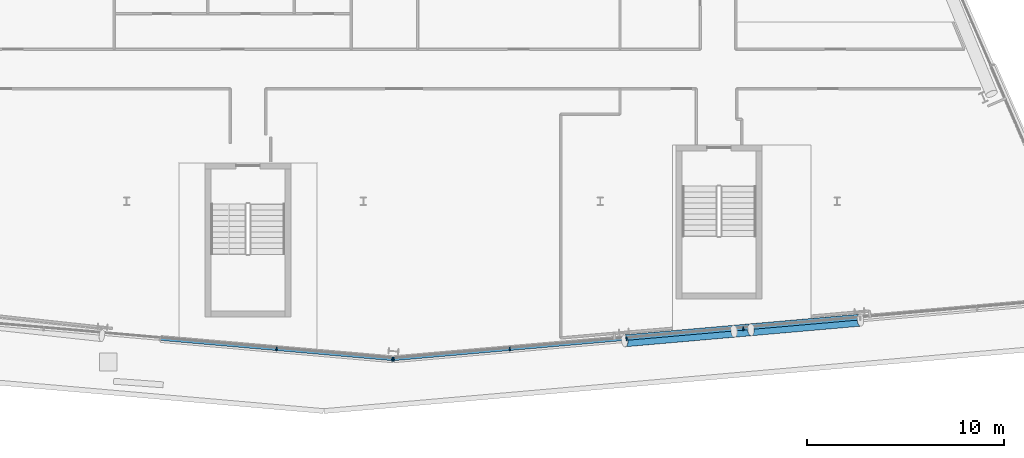
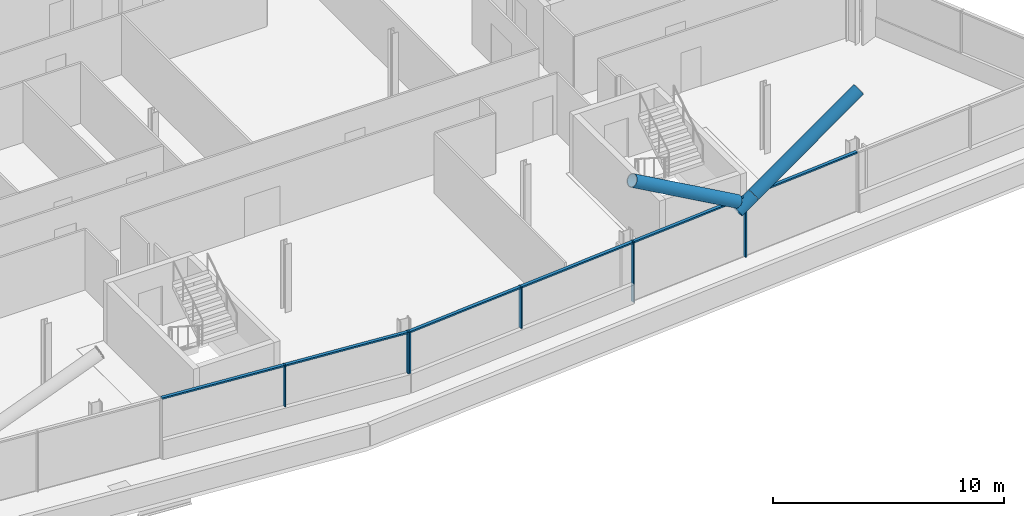
# One storey, part 6 of 27: 15 members, 2 elements without a shape of their own.
"""IFC4 building model written with IfcOpenShell, lengths in metres."""

import ifcopenshell
import ifcopenshell.guid

model = None  # the IFC model being written
_history = None  # IfcOwnerHistory: only IFC2X3 demands one
_inside = {}  # id of a spatial element -> (the spatial element, [elements in it])
_under = {}  # id of a project, library or spatial element -> (it, [spatial elements below it])
_declared = {}  # id of a project -> (the project, [libraries it declares])
_typed = {}  # id of a type object -> (the type object, [elements of that type])
_made_of = {}  # id of a material, layer set ... -> (it, [elements and type objects made of it])


def new_model(schema):
    """Start an empty IFC model of exactly this schema.

    Asked for "IFC4X3", IfcOpenShell would pick the latest addendum, in which some entities
    have other attributes; the version numbers below select the first issue.
    IFC2X3 requires an IfcOwnerHistory on every rooted entity: one is made here for all.
    """
    global model, _history
    if schema == "IFC4X3":
        model = ifcopenshell.file(schema_version=(4, 3, 0, 0))
    else:
        model = ifcopenshell.file(schema=schema)
    _inside.clear()
    _under.clear()
    _declared.clear()
    _typed.clear()
    _made_of.clear()
    _history = None
    if model.schema == "IFC2X3":
        org = make("IfcOrganization", Name="unknown")
        user = make(
            "IfcPersonAndOrganization",
            ThePerson=make("IfcPerson", FamilyName="unknown"),
            TheOrganization=org,
        )
        app = make(
            "IfcApplication",
            ApplicationDeveloper=org,
            Version="unknown",
            ApplicationFullName="unknown",
            ApplicationIdentifier="unknown",
        )
        _history = make(
            "IfcOwnerHistory",
            OwningUser=user,
            OwningApplication=app,
            ChangeAction="ADDED",
            CreationDate=0,
        )
    return model


def make(cls, **values):
    """One entity of the class cls with the attributes given. An attribute that is None is left unset."""
    return model.create_entity(
        cls, **{name: value for name, value in values.items() if value is not None}
    )


def rooted(cls, **values):
    """An entity with a GlobalId (a new one), such as an element, a storey or a relation."""
    return make(cls, GlobalId=ifcopenshell.guid.new(), OwnerHistory=_history, **values)


def si_unit(unit_type, name, prefix=None):
    """IfcSIUnit, for example si_unit("LENGTHUNIT", "METRE", prefix="MILLI")."""
    return make("IfcSIUnit", UnitType=unit_type, Prefix=prefix, Name=name)


def assignment(units):
    """IfcUnitAssignment: the units of a project."""
    return None if units is None else make("IfcUnitAssignment", Units=units)


def point(xyz):
    """IfcCartesianPoint."""
    return None if xyz is None else make("IfcCartesianPoint", Coordinates=xyz)


def direction(xyz):
    """IfcDirection."""
    return None if xyz is None else make("IfcDirection", DirectionRatios=xyz)


def frame(location, z_axis=None, x_axis=None):
    """IfcAxis2Placement3D, a coordinate frame: its origin and axes. An axis left out is left unset."""
    return make(
        "IfcAxis2Placement3D",
        Location=point(location),
        Axis=direction(z_axis),
        RefDirection=direction(x_axis),
    )


def frame_2d(location, x_axis=None):
    """IfcAxis2Placement2D, a coordinate frame in the plane: its origin and x axis."""
    return make(
        "IfcAxis2Placement2D", Location=point(location), RefDirection=direction(x_axis)
    )


def origin():
    """The frame at (0, 0, 0) with its axes left unset."""
    return frame((0.0, 0.0, 0.0))


def origin_2d():
    """The frame at (0, 0) in the plane with its x axis left unset."""
    return frame_2d((0.0, 0.0))


def place(relative_to, where):
    """IfcLocalPlacement: puts the frame where relative to a parent placement (None: the world)."""
    return make(
        "IfcLocalPlacement", PlacementRelTo=relative_to, RelativePlacement=where
    )


def context(
    kind, dimensions, precision=None, world=None, true_north=None, identifier=None
):
    """IfcGeometricRepresentationContext, for example the 3D "Model" context."""
    return make(
        "IfcGeometricRepresentationContext",
        ContextIdentifier=identifier,
        ContextType=kind,
        CoordinateSpaceDimension=dimensions,
        Precision=precision,
        WorldCoordinateSystem=world,
        TrueNorth=true_north,
    )


def subcontext(parent, identifier, kind, view, scale=None):
    """IfcGeometricRepresentationSubContext, for example "Body" below "Model"."""
    return make(
        "IfcGeometricRepresentationSubContext",
        ContextIdentifier=identifier,
        ContextType=kind,
        ParentContext=parent,
        TargetScale=scale,
        TargetView=view,
    )


def project(units=None, contexts=None):
    """IfcProject with its units and contexts."""
    return rooted(
        "IfcProject",
        Name="project",
        RepresentationContexts=contexts,
        UnitsInContext=assignment(units),
    )


def spatial(cls, under=None, at=None, **own):
    """A site, building, storey or space (cls), placed at a placement, below another one or the project."""
    s = rooted(cls, ObjectPlacement=at, **own)
    if under is not None:
        _under.setdefault(under.id(), (under, []))[1].append(s)
    return s


def profile(cls, at=None, kind="AREA", **sizes):
    """A parametric profile (cls). Its sizes go by their IFC names, for example OverallWidth=200.0."""
    return make(cls, ProfileType=kind, Position=at, **sizes)


def rectangle(**sizes):
    """IfcRectangleProfileDef."""
    return profile("IfcRectangleProfileDef", **sizes)


def hollow_circle(**sizes):
    """IfcCircleHollowProfileDef."""
    return profile("IfcCircleHollowProfileDef", **sizes)


def extrude(swept, where, along, depth):
    """IfcExtrudedAreaSolid: the profile swept, set in the frame where, extruded along a direction by depth."""
    return make(
        "IfcExtrudedAreaSolid",
        SweptArea=swept,
        Position=where,
        ExtrudedDirection=direction(along),
        Depth=depth,
    )


def shape(context_of_items, identifier, shape_type, items):
    """IfcShapeRepresentation: the items that make up one representation, for example the "Body"."""
    return make(
        "IfcShapeRepresentation",
        ContextOfItems=context_of_items,
        RepresentationIdentifier=identifier,
        RepresentationType=shape_type,
        Items=items,
    )


def material(Name=None, Category=None):
    """IfcMaterial."""
    return make("IfcMaterial", Name=Name, Category=Category)


def material_profile(
    of_material, cross_section, Name=None, Category=None, Priority=None
):
    """IfcMaterialProfile: a cross section and its material."""
    return make(
        "IfcMaterialProfile",
        Name=Name,
        Material=of_material,
        Profile=cross_section,
        Priority=Priority,
        Category=Category,
    )


def profile_set(profiles, Name=None, composite=None):
    """IfcMaterialProfileSet."""
    return make(
        "IfcMaterialProfileSet",
        Name=Name,
        MaterialProfiles=profiles,
        CompositeProfile=composite,
    )


def made_of(thing, what):
    """Note that an element or type object is made of a material, layer set ...; save() writes the relation."""
    if what is not None:
        _made_of.setdefault(what.id(), (what, []))[1].append(thing)
    return thing


def type_object(cls, material=None, **own):
    """A type object (cls), such as IfcWallType, which elements share."""
    return made_of(rooted(cls, **own), material)


def element(
    cls,
    number,
    at=None,
    inside=None,
    cuts=None,
    type_object=None,
    material=None,
    context=None,
    identifier="Body",
    shape_type=None,
    held_by="IfcProductDefinitionShape",
    body=None,
    shapes=None,
    **own,
):
    """One element of the class cls, such as IfcWall. Its Tag is "e" and its number.

    at: its placement. inside: the storey or other place that contains it. cuts: it is an
    opening in that element (IfcRelVoidsElement). A single representation is given by context,
    identifier, shape_type and body (its items); several are given by shapes. held_by: the class
    of the entity that holds the representations. save() writes the other relations.
    """
    e = rooted(cls, Tag="e%d" % number, ObjectPlacement=at, **own)
    if body is not None:
        shapes = [shape(context, identifier, shape_type, body)]
    if shapes is not None:
        e.Representation = make(held_by, Representations=shapes)
    if inside is not None:
        _inside.setdefault(inside.id(), (inside, []))[1].append(e)
    if cuts is not None:
        rooted(
            "IfcRelVoidsElement", RelatingBuildingElement=cuts, RelatedOpeningElement=e
        )
    if type_object is not None:
        _typed.setdefault(type_object.id(), (type_object, []))[1].append(e)
    return made_of(e, material)


def aggregate(whole, parts):
    """IfcRelAggregates: a whole, such as a stair, and the parts it consists of."""
    return rooted("IfcRelAggregates", RelatingObject=whole, RelatedObjects=parts)


def save(model, path):
    """Write the relations noted so far, then the file.

    IfcRelAggregates (storeys below a building ...), IfcRelContainedInSpatialStructure (elements
    in a storey), IfcRelDefinesByType, IfcRelAssociatesMaterial and IfcRelDeclares: one each for
    every whole, place, type object, material and project.
    """
    for whole, parts in _under.values():
        aggregate(whole, parts)
    for where, things in _inside.values():
        rooted(
            "IfcRelContainedInSpatialStructure",
            RelatedElements=things,
            RelatingStructure=where,
        )
    for kind, things in _typed.values():
        rooted("IfcRelDefinesByType", RelatedObjects=things, RelatingType=kind)
    for what, things in _made_of.values():
        rooted("IfcRelAssociatesMaterial", RelatedObjects=things, RelatingMaterial=what)
    for by, libraries in _declared.values():
        rooted("IfcRelDeclares", RelatingContext=by, RelatedDefinitions=libraries)
    model.write(path)


model = new_model("IFC4")

# Units and contexts
model_context = context("Model", 3, precision=1e-05, world=origin(), true_north=direction((0.0, 1.0)))
body_context = subcontext(model_context, "Body", "Model", "MODEL_VIEW")
ifc_project = project(units=[si_unit("LENGTHUNIT", "METRE"), si_unit("AREAUNIT", "SQUARE_METRE"), si_unit("VOLUMEUNIT", "CUBIC_METRE"), si_unit("PLANEANGLEUNIT", "RADIAN"), si_unit("MASSUNIT", "GRAM", prefix="KILO")], contexts=[model_context])

# Site, building, storey
site_placement = place(None, origin())
site = spatial("IfcSite", under=ifc_project, at=site_placement, CompositionType="ELEMENT")
building_placement = place(site_placement, origin())
building = spatial("IfcBuilding", under=site, at=building_placement, Name="Wharfspan Tower", CompositionType="ELEMENT")
storey_placement = place(building_placement, frame((0.0, 0.0, 207.100098)))
storey = spatial("IfcBuildingStorey", under=building, at=storey_placement, Name="L51", CompositionType="ELEMENT", Elevation=207.100098)

# Member
ifc_material_1 = material(Name="Steel S460NH", Category="steel")
ifc_material_profile_1 = material_profile(ifc_material_1, hollow_circle(Radius=0.304932, WallThickness=0.024902, at=origin_2d()))
ifc_profile_set_1 = profile_set([ifc_material_profile_1], Name="Steel S460NH")
member_type_1 = type_object("IfcMemberType", Name="Brace node tie CHS 610x25", PredefinedType="STRUT", material=ifc_profile_set_1)
member_1_placement = place(storey_placement, frame((66.787109, 4.911133, 2.645752), z_axis=(0.853916, 0.074705, 0.515021), x_axis=(-0.087153, 0.996196, 1e-06)))
element("IfcMember", 1, at=member_1_placement, inside=storey, type_object=member_type_1, Name="Brace node tie L51 S2", PredefinedType="STRUT", context=body_context, shape_type="SweptSolid", body=[
    extrude(hollow_circle(Radius=0.304932, WallThickness=0.024902, at=origin_2d()), origin(), (0.0, 0.0, 1.0), 0.987061),
])

# Curtain wall, members
ifc_material_2 = material(Name="Aluminium 6063-T6", Category="aluminium")
curtain_wall_type = type_object("IfcCurtainWallType", Name="CURTAIN WALL FACETED FRONT", PredefinedType="NOTDEFINED", material=ifc_material_2)
curtain_wall_1_placement = place(storey_placement, origin())
curtain_wall_1 = element("IfcCurtainWall", 2, at=curtain_wall_1_placement, inside=storey, type_object=curtain_wall_type, Name="Curtain wall S1", PredefinedType="NOTDEFINED")
ifc_material_profile_2 = material_profile(ifc_material_2, rectangle(XDim=0.199951, YDim=0.060059, at=origin_2d()))
ifc_profile_set_2 = profile_set([ifc_material_profile_2], Name="Aluminium 6063-T6")
member_type_2 = type_object("IfcMemberType", Name="MULLION FACETED FRONT 60x200", PredefinedType="MULLION", material=ifc_profile_set_2)
member_2_placement = place(storey_placement, frame((43.600098, 4.010254, 1.0), z_axis=(0.0, 0.0, 1.0), x_axis=(0.087156, 0.996197, 0.0)))
member_2 = element("IfcMember", 3, at=member_2_placement, type_object=member_type_2, Name="Curtain wall S1 mullion 5", PredefinedType="MULLION", context=body_context, shape_type="SweptSolid", body=[
    extrude(rectangle(XDim=0.199951, YDim=0.060059, at=origin_2d()), origin(), (0.0, 0.0, 1.0), 2.199951),
])
member_3_placement = place(storey_placement, frame((49.470215, 3.496826, 1.0), z_axis=(0.0, 0.0, 1.0), x_axis=(0.087156, 0.996197, 0.0)))
member_3 = element("IfcMember", 4, at=member_3_placement, type_object=member_type_2, Name="Curtain wall S1 mullion 6", PredefinedType="MULLION", context=body_context, shape_type="SweptSolid", body=[
    extrude(rectangle(XDim=0.199951, YDim=0.060059, at=origin_2d()), origin(), (0.0, 0.0, 1.0), 2.199951),
])

curtain_wall_2_placement = place(storey_placement, origin())
curtain_wall_2 = element("IfcCurtainWall", 5, at=curtain_wall_2_placement, inside=storey, type_object=curtain_wall_type, Name="Curtain wall S2", PredefinedType="NOTDEFINED")
member_4_placement = place(storey_placement, frame((49.529785, 3.496826, 1.0), z_axis=(0.0, 0.0, 1.0), x_axis=(-0.087156, 0.996197, 0.0)))
member_4 = element("IfcMember", 6, at=member_4_placement, type_object=member_type_2, Name="Curtain wall S2 mullion 1", PredefinedType="MULLION", context=body_context, shape_type="SweptSolid", body=[
    extrude(rectangle(XDim=0.199951, YDim=0.060059, at=origin_2d()), origin(), (0.0, 0.0, 1.0), 2.199951),
])
member_5_placement = place(storey_placement, frame((55.416748, 4.011719, 1.0), z_axis=(0.0, 0.0, 1.0), x_axis=(-0.087156, 0.996197, 0.0)))
member_5 = element("IfcMember", 7, at=member_5_placement, type_object=member_type_2, Name="Curtain wall S2 mullion 2", PredefinedType="MULLION", context=body_context, shape_type="SweptSolid", body=[
    extrude(rectangle(XDim=0.199951, YDim=0.060059, at=origin_2d()), origin(), (0.0, 0.0, 1.0), 2.199951),
])
member_6_placement = place(storey_placement, frame((61.333252, 4.529541, 0.0), z_axis=(0.0, 0.0, 1.0), x_axis=(-0.087156, 0.996197, 0.0)))
member_6 = element("IfcMember", 8, at=member_6_placement, type_object=member_type_2, Name="Curtain wall S2 mullion 3", PredefinedType="MULLION", context=body_context, shape_type="SweptSolid", body=[
    extrude(rectangle(XDim=0.199951, YDim=0.060059, at=origin_2d()), origin(), (0.0, 0.0, 1.0), 3.199951),
])
member_7_placement = place(storey_placement, frame((67.25, 5.047119, 0.0), z_axis=(0.0, 0.0, 1.0), x_axis=(-0.087156, 0.996197, 0.0)))
member_7 = element("IfcMember", 9, at=member_7_placement, type_object=member_type_2, Name="Curtain wall S2 mullion 4", PredefinedType="MULLION", context=body_context, shape_type="SweptSolid", body=[
    extrude(rectangle(XDim=0.199951, YDim=0.060059, at=origin_2d()), origin(), (0.0, 0.0, 1.0), 3.199951),
])

# Members
ifc_material_profile_3 = material_profile(ifc_material_1, hollow_circle(Radius=0.304932, WallThickness=0.024902, at=origin_2d()))
ifc_profile_set_3 = profile_set([ifc_material_profile_3], Name="Steel S460NH")
member_type_3 = type_object("IfcMemberType", Name="Mega brace CHS 610x25", PredefinedType="BRACE", material=ifc_profile_set_3)
for number, where, z_axis, x_axis, name in (
    (10, (67.638428, 4.985596, 3.159424), (0.853829, 0.074698, 0.515166), (-0.087155, 0.996197, 3e-06), "Mega brace S2 L51 part 2"),
    (11, (66.778564, 4.9104, 3.159424), (-0.853829, -0.074698, 0.515166), (0.087155, -0.996197, 3e-06), "Mega brace S2 L51 part 4"),
):
    element("IfcMember", number, at=place(storey_placement, frame(where, z_axis=z_axis, x_axis=x_axis)), inside=storey, type_object=member_type_3, Name=name, PredefinedType="BRACE", context=body_context, shape_type="SweptSolid", body=[
        extrude(hollow_circle(Radius=0.304932, WallThickness=0.024902, at=origin_2d()), origin(), (0.0, 0.0, 1.0), 6.484375),
    ])

# Member
ifc_material_profile_4 = material_profile(ifc_material_2, rectangle(XDim=0.159912, YDim=0.080078, at=origin_2d()))
ifc_profile_set_4 = profile_set([ifc_material_profile_4], Name="Aluminium 6063-T6")
member_type_4 = type_object("IfcMemberType", Name="TRANSOM FACETED FRONT 80x160", PredefinedType="USERDEFINED", material=ifc_profile_set_4)
member_8_placement = place(storey_placement, frame((37.72998, 4.523926, 3.159912), z_axis=(0.996194, -0.087163, 0.0), x_axis=(0.087163, 0.996194, 0.0)))
member_8 = element("IfcMember", 12, at=member_8_placement, type_object=member_type_4, Name="Curtain wall S1 transom 4", ObjectType="TRANSOM", PredefinedType="USERDEFINED", context=body_context, shape_type="SweptSolid", body=[
    extrude(rectangle(XDim=0.159912, YDim=0.080078, at=origin_2d()), origin(), (0.0, 0.0, 1.0), 5.862305),
])

member_9_placement = place(storey_placement, frame((43.629883, 4.007812, 3.159912), z_axis=(0.996192, -0.087191, 0.0), x_axis=(0.087191, 0.996192, 0.0)))
member_9 = element("IfcMember", 13, at=member_9_placement, type_object=member_type_4, Name="Curtain wall S1 transom 5", ObjectType="TRANSOM", PredefinedType="USERDEFINED", context=body_context, shape_type="SweptSolid", body=[
    extrude(rectangle(XDim=0.159912, YDim=0.080078, at=origin_2d()), origin(), (0.0, 0.0, 1.0), 5.83252),
])

aggregate(curtain_wall_1, [member_2, member_3, member_8, member_9])

member_10_placement = place(storey_placement, frame((49.559814, 3.499268, 3.159912), z_axis=(0.996191, 0.087193, 0.0), x_axis=(-0.087193, 0.996191, 0.0)))
member_10 = element("IfcMember", 14, at=member_10_placement, type_object=member_type_4, Name="Curtain wall S2 transom 1", ObjectType="TRANSOM", PredefinedType="USERDEFINED", context=body_context, shape_type="SweptSolid", body=[
    extrude(rectangle(XDim=0.159912, YDim=0.080078, at=origin_2d()), origin(), (0.0, 0.0, 1.0), 5.849121),
])

member_11_placement = place(storey_placement, frame((55.446533, 4.014404, 3.159912), z_axis=(0.996194, 0.087162, 0.0), x_axis=(-0.087162, 0.996194, 0.0)))
member_11 = element("IfcMember", 15, at=member_11_placement, type_object=member_type_4, Name="Curtain wall S2 transom 2", ObjectType="TRANSOM", PredefinedType="USERDEFINED", context=body_context, shape_type="SweptSolid", body=[
    extrude(rectangle(XDim=0.159912, YDim=0.080078, at=origin_2d()), origin(), (0.0, 0.0, 1.0), 5.879395),
])

member_12_placement = place(storey_placement, frame((61.363281, 4.531982, 3.159912), z_axis=(0.996194, 0.087162, 0.0), x_axis=(-0.087162, 0.996194, 0.0)))
member_12 = element("IfcMember", 16, at=member_12_placement, type_object=member_type_4, Name="Curtain wall S2 transom 3", ObjectType="TRANSOM", PredefinedType="USERDEFINED", context=body_context, shape_type="SweptSolid", body=[
    extrude(rectangle(XDim=0.159912, YDim=0.080078, at=origin_2d()), origin(), (0.0, 0.0, 1.0), 5.879395),
])

member_13_placement = place(storey_placement, frame((67.279785, 5.049805, 3.159912), z_axis=(0.996198, 0.087121, 0.0), x_axis=(-0.087121, 0.996198, 0.0)))
member_13 = element("IfcMember", 17, at=member_13_placement, type_object=member_type_4, Name="Curtain wall S2 transom 4", ObjectType="TRANSOM", PredefinedType="USERDEFINED", context=body_context, shape_type="SweptSolid", body=[
    extrude(rectangle(XDim=0.159912, YDim=0.080078, at=origin_2d()), origin(), (0.0, 0.0, 1.0), 5.879395),
])

aggregate(curtain_wall_2, [member_4, member_5, member_6, member_7, member_10, member_11, member_12, member_13])

save(model, "model.ifc")
